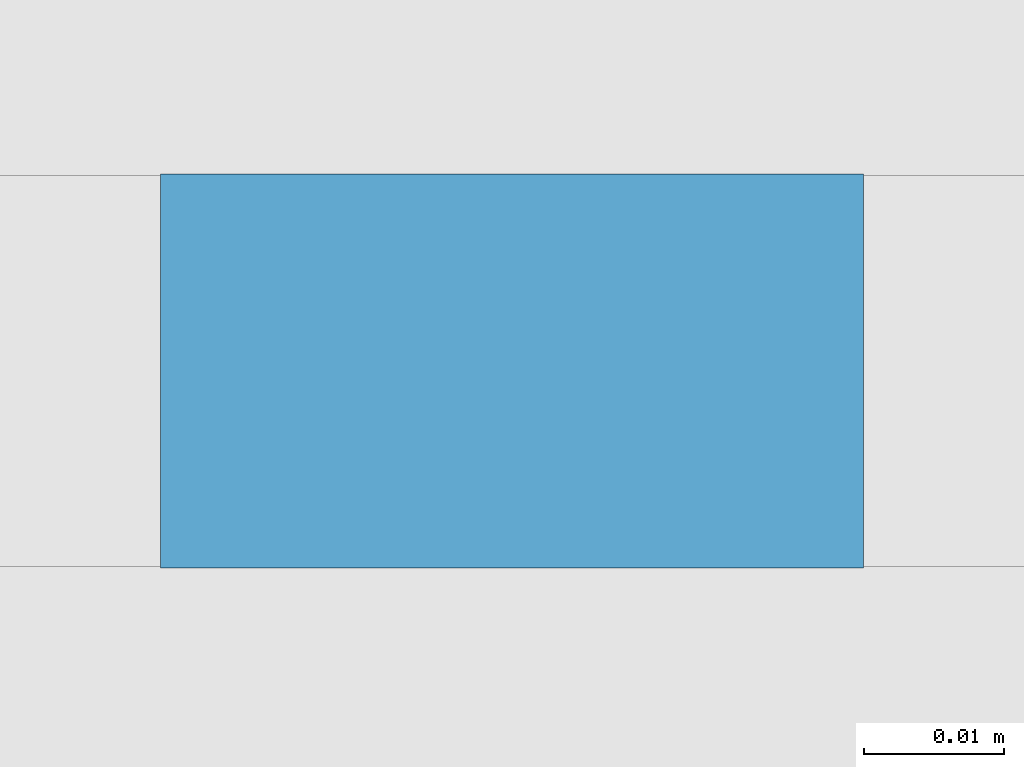
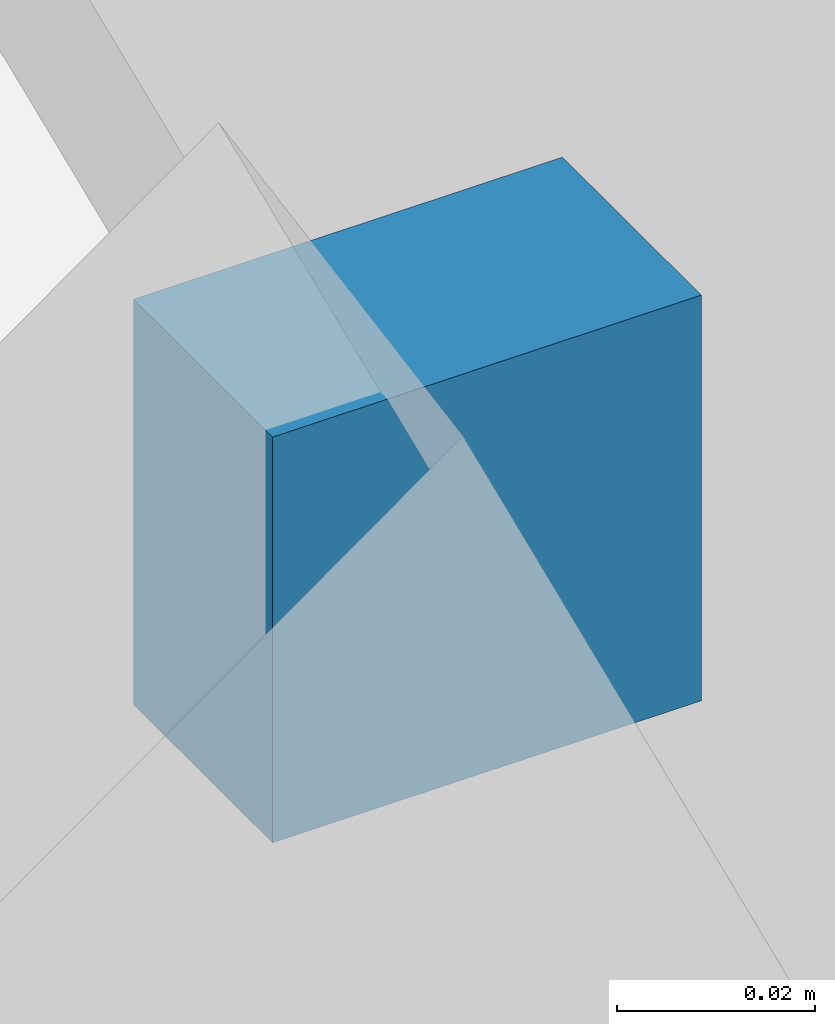
# One storey, part 18 of 26: 1 discrete accessory, 1 element without a shape of its own.
"""IFC4 building model written with IfcOpenShell, lengths in metres."""

from ifc_helpers import new_model, si_unit, direction, frame, origin, origin_2d, place, context, subcontext, project, spatial, rectangle, extrude, material, type_object, element, aggregate, save


model = new_model("IFC4")

# Units and contexts
model_context = context("Model", 3, precision=1e-05, world=origin(), true_north=direction((0.0, 1.0)))
body_context = subcontext(model_context, "Body", "Model", "MODEL_VIEW")
ifc_project = project(units=[si_unit("LENGTHUNIT", "METRE"), si_unit("AREAUNIT", "SQUARE_METRE"), si_unit("VOLUMEUNIT", "CUBIC_METRE"), si_unit("PLANEANGLEUNIT", "RADIAN"), si_unit("MASSUNIT", "GRAM", prefix="KILO")], contexts=[model_context])

# Site, building, storey
site_placement = place(None, origin())
site = spatial("IfcSite", under=ifc_project, at=site_placement, CompositionType="ELEMENT")
building_placement = place(site_placement, origin())
building = spatial("IfcBuilding", under=site, at=building_placement, Name="Tessera Arch", CompositionType="ELEMENT")
storey_placement = place(building_placement, frame((0.0, 0.0, 96.800048828125)))
storey = spatial("IfcBuildingStorey", under=building, at=storey_placement, Name="L22", CompositionType="ELEMENT", Elevation=96.800048828125)

# Curtain wall, discrete accessory
ifc_material = material(Name="CW3 curtain wall")
curtain_wall_type = type_object("IfcCurtainWallType", Name="CW3 curtain wall", PredefinedType="NOTDEFINED", material=ifc_material)
curtain_wall_placement = place(storey_placement, origin())
curtain_wall = element("IfcCurtainWall", 1, at=curtain_wall_placement, inside=storey, type_object=curtain_wall_type, Name="CW3 curtain wall S27.0/1 L22", PredefinedType="NOTDEFINED")
discrete_accessory_placement = place(storey_placement, frame((14.010986328125, 26.9560546875, 1.0537109375), z_axis=(0.0, 0.0, 1.0), x_axis=(1.0, 0.0, 0.0)))
discrete_accessory = element("IfcDiscreteAccessory", 2, at=discrete_accessory_placement, Name="Glazing bracket", PredefinedType="BRACKET", context=body_context, shape_type="SweptSolid", body=[
    extrude(rectangle(XDim=0.050048828125, YDim=0.028076171875, at=origin_2d()), origin(), (0.0, 0.0, 1.0), 0.050048828125),
])
aggregate(curtain_wall, [discrete_accessory])

save(model, "model.ifc")
